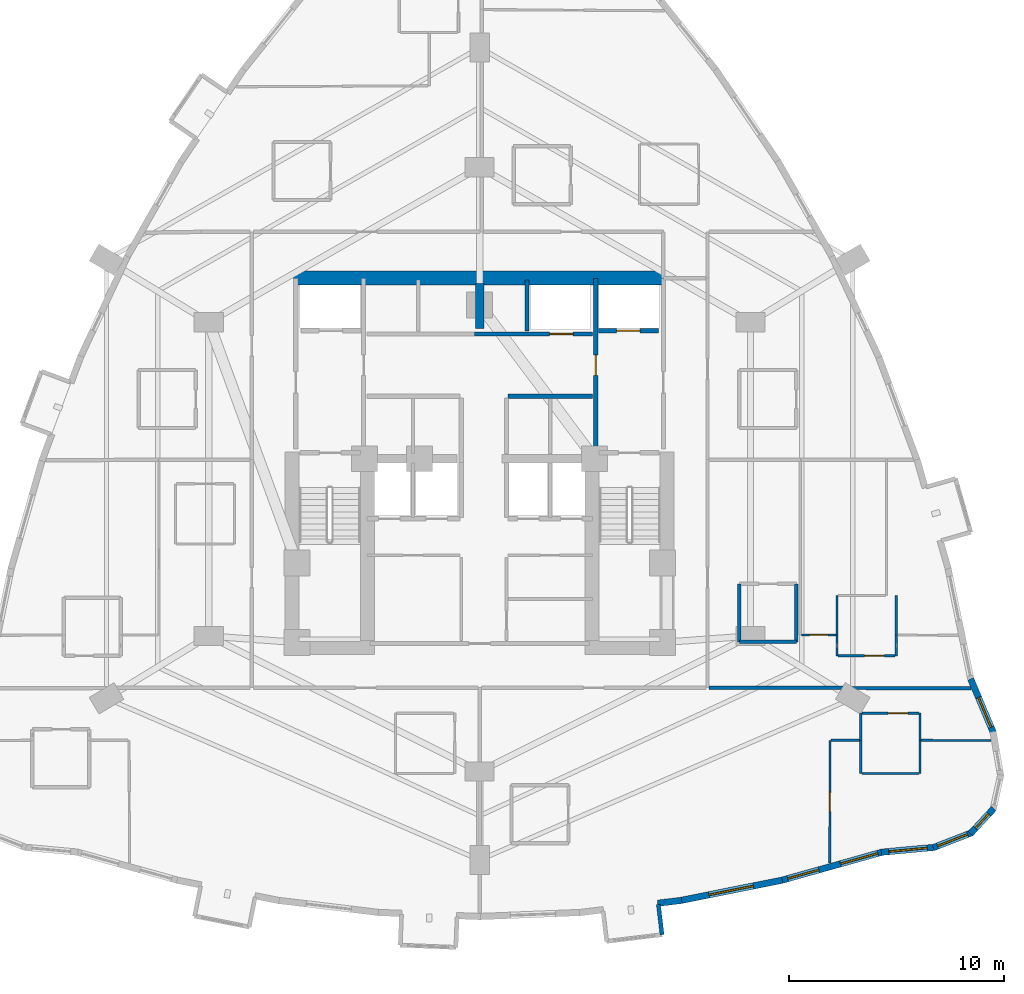
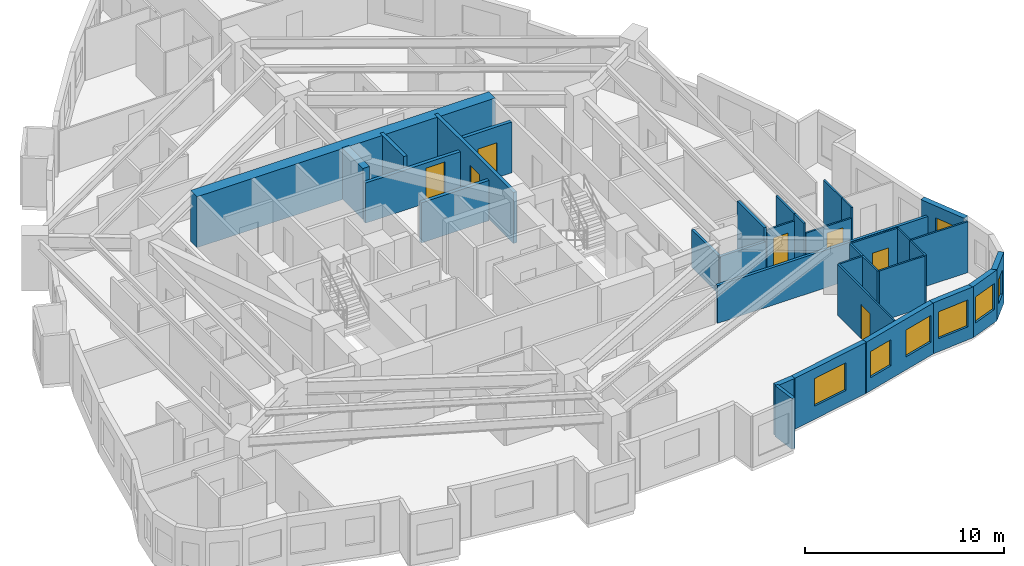
# One storey, part 9 of 13: 34 walls, 7 doors, 7 windows, 14 openings.
"""IFC4 building model written with IfcOpenShell, lengths in metres."""

import ifcopenshell
import ifcopenshell.guid

model = None  # the IFC model being written
_history = None  # IfcOwnerHistory: only IFC2X3 demands one
_inside = {}  # id of a spatial element -> (the spatial element, [elements in it])
_under = {}  # id of a project, library or spatial element -> (it, [spatial elements below it])
_declared = {}  # id of a project -> (the project, [libraries it declares])
_typed = {}  # id of a type object -> (the type object, [elements of that type])
_made_of = {}  # id of a material, layer set ... -> (it, [elements and type objects made of it])


def new_model(schema):
    """Start an empty IFC model of exactly this schema.

    Asked for "IFC4X3", IfcOpenShell would pick the latest addendum, in which some entities
    have other attributes; the version numbers below select the first issue.
    IFC2X3 requires an IfcOwnerHistory on every rooted entity: one is made here for all.
    """
    global model, _history
    if schema == "IFC4X3":
        model = ifcopenshell.file(schema_version=(4, 3, 0, 0))
    else:
        model = ifcopenshell.file(schema=schema)
    _inside.clear()
    _under.clear()
    _declared.clear()
    _typed.clear()
    _made_of.clear()
    _history = None
    if model.schema == "IFC2X3":
        org = make("IfcOrganization", Name="unknown")
        user = make(
            "IfcPersonAndOrganization",
            ThePerson=make("IfcPerson", FamilyName="unknown"),
            TheOrganization=org,
        )
        app = make(
            "IfcApplication",
            ApplicationDeveloper=org,
            Version="unknown",
            ApplicationFullName="unknown",
            ApplicationIdentifier="unknown",
        )
        _history = make(
            "IfcOwnerHistory",
            OwningUser=user,
            OwningApplication=app,
            ChangeAction="ADDED",
            CreationDate=0,
        )
    return model


def make(cls, **values):
    """One entity of the class cls with the attributes given. An attribute that is None is left unset."""
    return model.create_entity(
        cls, **{name: value for name, value in values.items() if value is not None}
    )


def rooted(cls, **values):
    """An entity with a GlobalId (a new one), such as an element, a storey or a relation."""
    return make(cls, GlobalId=ifcopenshell.guid.new(), OwnerHistory=_history, **values)


def si_unit(unit_type, name, prefix=None):
    """IfcSIUnit, for example si_unit("LENGTHUNIT", "METRE", prefix="MILLI")."""
    return make("IfcSIUnit", UnitType=unit_type, Prefix=prefix, Name=name)


def assignment(units):
    """IfcUnitAssignment: the units of a project."""
    return None if units is None else make("IfcUnitAssignment", Units=units)


def point(xyz):
    """IfcCartesianPoint."""
    return None if xyz is None else make("IfcCartesianPoint", Coordinates=xyz)


def direction(xyz):
    """IfcDirection."""
    return None if xyz is None else make("IfcDirection", DirectionRatios=xyz)


def frame(location, z_axis=None, x_axis=None):
    """IfcAxis2Placement3D, a coordinate frame: its origin and axes. An axis left out is left unset."""
    return make(
        "IfcAxis2Placement3D",
        Location=point(location),
        Axis=direction(z_axis),
        RefDirection=direction(x_axis),
    )


def frame_2d(location, x_axis=None):
    """IfcAxis2Placement2D, a coordinate frame in the plane: its origin and x axis."""
    return make(
        "IfcAxis2Placement2D", Location=point(location), RefDirection=direction(x_axis)
    )


def origin():
    """The frame at (0, 0, 0) with its axes left unset."""
    return frame((0.0, 0.0, 0.0))


def place(relative_to, where):
    """IfcLocalPlacement: puts the frame where relative to a parent placement (None: the world)."""
    return make(
        "IfcLocalPlacement", PlacementRelTo=relative_to, RelativePlacement=where
    )


def context(
    kind, dimensions, precision=None, world=None, true_north=None, identifier=None
):
    """IfcGeometricRepresentationContext, for example the 3D "Model" context."""
    return make(
        "IfcGeometricRepresentationContext",
        ContextIdentifier=identifier,
        ContextType=kind,
        CoordinateSpaceDimension=dimensions,
        Precision=precision,
        WorldCoordinateSystem=world,
        TrueNorth=true_north,
    )


def subcontext(parent, identifier, kind, view, scale=None):
    """IfcGeometricRepresentationSubContext, for example "Body" below "Model"."""
    return make(
        "IfcGeometricRepresentationSubContext",
        ContextIdentifier=identifier,
        ContextType=kind,
        ParentContext=parent,
        TargetScale=scale,
        TargetView=view,
    )


def project(units=None, contexts=None):
    """IfcProject with its units and contexts."""
    return rooted(
        "IfcProject",
        Name="project",
        RepresentationContexts=contexts,
        UnitsInContext=assignment(units),
    )


def spatial(cls, under=None, at=None, **own):
    """A site, building, storey or space (cls), placed at a placement, below another one or the project."""
    s = rooted(cls, ObjectPlacement=at, **own)
    if under is not None:
        _under.setdefault(under.id(), (under, []))[1].append(s)
    return s


def profile(cls, at=None, kind="AREA", **sizes):
    """A parametric profile (cls). Its sizes go by their IFC names, for example OverallWidth=200.0."""
    return make(cls, ProfileType=kind, Position=at, **sizes)


def rectangle(**sizes):
    """IfcRectangleProfileDef."""
    return profile("IfcRectangleProfileDef", **sizes)


def extrude(swept, where, along, depth):
    """IfcExtrudedAreaSolid: the profile swept, set in the frame where, extruded along a direction by depth."""
    return make(
        "IfcExtrudedAreaSolid",
        SweptArea=swept,
        Position=where,
        ExtrudedDirection=direction(along),
        Depth=depth,
    )


def shape(context_of_items, identifier, shape_type, items):
    """IfcShapeRepresentation: the items that make up one representation, for example the "Body"."""
    return make(
        "IfcShapeRepresentation",
        ContextOfItems=context_of_items,
        RepresentationIdentifier=identifier,
        RepresentationType=shape_type,
        Items=items,
    )


def material(Name=None, Category=None):
    """IfcMaterial."""
    return make("IfcMaterial", Name=Name, Category=Category)


def layer(
    of_material, thickness, ventilated=None, Name=None, Category=None, Priority=None
):
    """IfcMaterialLayer: one layer of a wall or slab, of a material (None: an air gap)."""
    return make(
        "IfcMaterialLayer",
        Material=of_material,
        LayerThickness=thickness,
        IsVentilated=ventilated,
        Name=Name,
        Category=Category,
        Priority=Priority,
    )


def layer_set(layers, Name=None):
    """IfcMaterialLayerSet."""
    return make("IfcMaterialLayerSet", MaterialLayers=layers, LayerSetName=Name)


def made_of(thing, what):
    """Note that an element or type object is made of a material, layer set ...; save() writes the relation."""
    if what is not None:
        _made_of.setdefault(what.id(), (what, []))[1].append(thing)
    return thing


def type_object(cls, material=None, **own):
    """A type object (cls), such as IfcWallType, which elements share."""
    return made_of(rooted(cls, **own), material)


def element(
    cls,
    number,
    at=None,
    inside=None,
    cuts=None,
    type_object=None,
    material=None,
    context=None,
    identifier="Body",
    shape_type=None,
    held_by="IfcProductDefinitionShape",
    body=None,
    shapes=None,
    **own,
):
    """One element of the class cls, such as IfcWall. Its Tag is "e" and its number.

    at: its placement. inside: the storey or other place that contains it. cuts: it is an
    opening in that element (IfcRelVoidsElement). A single representation is given by context,
    identifier, shape_type and body (its items); several are given by shapes. held_by: the class
    of the entity that holds the representations. save() writes the other relations.
    """
    e = rooted(cls, Tag="e%d" % number, ObjectPlacement=at, **own)
    if body is not None:
        shapes = [shape(context, identifier, shape_type, body)]
    if shapes is not None:
        e.Representation = make(held_by, Representations=shapes)
    if inside is not None:
        _inside.setdefault(inside.id(), (inside, []))[1].append(e)
    if cuts is not None:
        rooted(
            "IfcRelVoidsElement", RelatingBuildingElement=cuts, RelatedOpeningElement=e
        )
    if type_object is not None:
        _typed.setdefault(type_object.id(), (type_object, []))[1].append(e)
    return made_of(e, material)


def fill(opening, filler):
    """IfcRelFillsElement: the door or window that sits in an opening."""
    return rooted(
        "IfcRelFillsElement",
        RelatingOpeningElement=opening,
        RelatedBuildingElement=filler,
    )


def aggregate(whole, parts):
    """IfcRelAggregates: a whole, such as a stair, and the parts it consists of."""
    return rooted("IfcRelAggregates", RelatingObject=whole, RelatedObjects=parts)


def save(model, path):
    """Write the relations noted so far, then the file.

    IfcRelAggregates (storeys below a building ...), IfcRelContainedInSpatialStructure (elements
    in a storey), IfcRelDefinesByType, IfcRelAssociatesMaterial and IfcRelDeclares: one each for
    every whole, place, type object, material and project.
    """
    for whole, parts in _under.values():
        aggregate(whole, parts)
    for where, things in _inside.values():
        rooted(
            "IfcRelContainedInSpatialStructure",
            RelatedElements=things,
            RelatingStructure=where,
        )
    for kind, things in _typed.values():
        rooted("IfcRelDefinesByType", RelatedObjects=things, RelatingType=kind)
    for what, things in _made_of.values():
        rooted("IfcRelAssociatesMaterial", RelatedObjects=things, RelatingMaterial=what)
    for by, libraries in _declared.values():
        rooted("IfcRelDeclares", RelatingContext=by, RelatedDefinitions=libraries)
    model.write(path)


model = new_model("IFC4")

# Units and contexts
model_context = context("Model", 3, precision=1e-05, world=origin(), true_north=direction((0.0, 1.0)))
body_context = subcontext(model_context, "Body", "Model", "MODEL_VIEW")
ifc_project = project(units=[si_unit("LENGTHUNIT", "METRE"), si_unit("AREAUNIT", "SQUARE_METRE"), si_unit("VOLUMEUNIT", "CUBIC_METRE"), si_unit("PLANEANGLEUNIT", "RADIAN"), si_unit("MASSUNIT", "GRAM", prefix="KILO")], contexts=[model_context])

# Site, building, storey
site_placement = place(None, origin())
site = spatial("IfcSite", under=ifc_project, at=site_placement, CompositionType="ELEMENT")
building_placement = place(site_placement, origin())
building = spatial("IfcBuilding", under=site, at=building_placement, Name="Miruveldt Soraemaru", CompositionType="ELEMENT")
storey_placement = place(building_placement, frame((0.0, 0.0, 76.800048828125)))
storey = spatial("IfcBuildingStorey", under=building, at=storey_placement, Name="L21", CompositionType="ELEMENT", Elevation=76.800048828125)

# Walls
ifc_material_1 = material(Name="White powder-coated aluminium EN AW-6060 T6", Category="aluminium")
ifc_layer_1 = layer(ifc_material_1, 0.18994140625, Name="White powder-coated aluminium EN AW-6060 T6", Category="aluminium")
ifc_layer_set_1 = layer_set([ifc_layer_1], Name="White powder-coated aluminium EN AW-6060 T6")
wall_type_1 = type_object("IfcWallType", Name="WALL-BAY-ALU190", PredefinedType="SOLIDWALL", material=ifc_layer_set_1)
wall_1_placement = place(storey_placement, frame((52.48681640625, 21.901123046875, 0.0), z_axis=(0.0, 0.0, 1.0), x_axis=(-0.119057405757, 0.992887372331, 0.0)))
element("IfcWall", 1, at=wall_1_placement, inside=storey, type_object=wall_type_1, Name="L21 Bay Window Side Cheek 5R", PredefinedType="SOLIDWALL", context=body_context, shape_type="SweptSolid", body=[
    extrude(rectangle(XDim=1.42529296875, YDim=0.18994140625, at=frame_2d((0.712646484375, 0.0))), origin(), (0.0, 0.0, 1.0), 3.125),
])
ifc_material_2 = material(Name="Concrete C70/85 (70 MPa)", Category="concrete")
ifc_layer_2 = layer(ifc_material_2, 0.5, Name="Concrete C70/85 (70 MPa)", Category="concrete")
ifc_layer_set_2 = layer_set([ifc_layer_2], Name="Concrete C70/85 (70 MPa)")
wall_type_2 = type_object("IfcWallType", Name="WALL-BW-500", PredefinedType="SHEAR", material=ifc_layer_set_2)
wall_2_placement = place(storey_placement, frame((44.0, 50.10009765625, 0.0), z_axis=(0.0, 0.0, 1.0), x_axis=(0.0, 1.0, 0.0)))
element("IfcWall", 2, at=wall_2_placement, inside=storey, type_object=wall_type_2, Name="L21 Core Buttress Shear Wall BN", PredefinedType="SHEAR", context=body_context, shape_type="SweptSolid", body=[
    extrude(rectangle(XDim=2.099853515625, YDim=0.39990234375, at=frame_2d((1.0498046875, 0.0))), origin(), (0.0, 0.0, 1.0), 3.125),
])
ifc_material_3 = material(Name="Concrete C80/95 (80 MPa)", Category="concrete")
ifc_layer_3 = layer(ifc_material_3, 0.64990234375, Name="Concrete C80/95 (80 MPa)", Category="concrete")
ifc_layer_set_3 = layer_set([ifc_layer_3], Name="Concrete C80/95 (80 MPa)")
wall_type_3 = type_object("IfcWallType", Name="WALL-CW-650", PredefinedType="SHEAR", material=ifc_layer_set_3)
wall_3_placement = place(storey_placement, frame((35.35009765625, 52.449951171875, 0.0), z_axis=(0.0, 0.0, 1.0), x_axis=(1.0, 0.0, 0.0)))
element("IfcWall", 3, at=wall_3_placement, inside=storey, type_object=wall_type_3, Name="L21 Central Core Shear Wall N", PredefinedType="SHEAR", context=body_context, shape_type="SweptSolid", body=[
    extrude(rectangle(XDim=17.2998046875, YDim=0.64990234375, at=frame_2d((8.64990234375, 0.0))), origin(), (0.0, 0.0, 1.0), 3.125),
])
ifc_material_4 = material(Name="Precast concrete C45/55 (45 MPa)", Category="concrete")
ifc_layer_4 = layer(ifc_material_4, 0.300048828125, Name="Precast concrete C45/55 (45 MPa)", Category="concrete")
ifc_layer_set_4 = layer_set([ifc_layer_4], Name="Precast concrete C45/55 (45 MPa)")
wall_type_4 = type_object("IfcWallType", Name="WALL-EXT-PC300", PredefinedType="SOLIDWALL", material=ifc_layer_set_4)
wall_4_placement = place(storey_placement, frame((52.28076171875, 23.3671875, 0.0), z_axis=(0.0, 0.0, 1.0), x_axis=(0.992888162429, 0.119050816495, 0.0)))
element("IfcWall", 4, at=wall_4_placement, inside=storey, type_object=wall_type_4, Name="L21 Precast Pier Wall 26B", PredefinedType="SOLIDWALL", context=body_context, shape_type="SweptSolid", body=[
    extrude(rectangle(XDim=1.121826171875, YDim=0.300048828125, at=frame_2d((0.56103515625, 0.0))), origin(), (0.0, 0.0, 1.0), 3.125),
])

# Wall, opening, window
wall_5_placement = place(storey_placement, frame((53.325439453125, 23.48974609375, 0.0), z_axis=(0.0, 0.0, 1.0), x_axis=(0.980580675691, 0.196116135138, 0.0)))
wall_5 = element("IfcWall", 5, at=wall_5_placement, inside=storey, type_object=wall_type_4, Name="L21 Precast Concrete Facade Wall 27", PredefinedType="SOLIDWALL", context=body_context, shape_type="SweptSolid", body=[
    extrude(rectangle(XDim=4.842529296875, YDim=0.300048828125, at=frame_2d((2.42138671875, 0.0))), origin(), (0.0, 0.0, 1.0), 3.125),
])
opening_1_placement = place(wall_5_placement, frame((1.37109375, 0.0, 0.800048828125)))
opening_1 = element("IfcOpeningElement", 6, at=opening_1_placement, cuts=wall_5, Name="Opening WN-1", PredefinedType="OPENING", context=body_context, shape_type="SweptSolid", body=[
    extrude(rectangle(XDim=2.10009765625, YDim=1.699951171875, at=frame_2d((1.050048828125, 0.85009765625))), frame((0.0, 0.16015625, 0.0), z_axis=(0.0, -1.0, 0.0), x_axis=(1.0, 0.0, 0.0)), (0.0, 0.0, 1.0), 0.320068359375),
])
ifc_material_5 = material(Name="Triple low-e insulated glazing", Category="glass")
window_type_1 = type_object("IfcWindowType", Name="WIN-PUNCH-2100x1700", PartitioningType="SINGLE_PANEL", PredefinedType="WINDOW", material=ifc_material_5)
window_1_placement = place(opening_1_placement, origin())
window_1 = element("IfcWindow", 7, at=window_1_placement, inside=storey, type_object=window_type_1, Name="L21 Punched Triple-Glazed Window 27.1", OverallHeight=1.699951171875, OverallWidth=2.10009765625, PartitioningType="SINGLE_PANEL", PredefinedType="WINDOW", context=body_context, shape_type="SweptSolid", body=[
    extrude(rectangle(XDim=2.10009765625, YDim=1.699951171875, at=frame_2d((1.050048828125, 0.85009765625))), frame((0.0, 0.030029296875, 0.0), z_axis=(0.0, -1.0, 0.0), x_axis=(1.0, 0.0, 0.0)), (0.0, 0.0, 1.0), 0.06005859375),
])
fill(opening_1, window_1)

# Wall, openings, windows
wall_6_placement = place(storey_placement, frame((58.006103515625, 24.423095703125, 0.0), z_axis=(0.0, 0.0, 1.0), x_axis=(0.962958876285, 0.269648294234, 0.0)))
wall_6 = element("IfcWall", 8, at=wall_6_placement, inside=storey, type_object=wall_type_4, Name="L21 Precast Concrete Facade Wall 28", PredefinedType="SOLIDWALL", context=body_context, shape_type="SweptSolid", body=[
    extrude(rectangle(XDim=4.929931640625, YDim=0.300048828125, at=frame_2d((2.46484375, 0.0))), origin(), (0.0, 0.0, 1.0), 3.125),
])
opening_2_placement = place(wall_6_placement, frame((0.3359375, 0.0, 0.800048828125)))
opening_2 = element("IfcOpeningElement", 9, at=opening_2_placement, cuts=wall_6, Name="Opening WN-3", PredefinedType="OPENING", context=body_context, shape_type="SweptSolid", body=[
    extrude(rectangle(XDim=1.5, YDim=1.60009765625, at=frame_2d((0.75, 0.800048828125))), frame((0.0, 0.16015625, 0.0), z_axis=(0.0, -1.0, 0.0), x_axis=(1.0, 0.0, 0.0)), (0.0, 0.0, 1.0), 0.320068359375),
])
opening_3_placement = place(wall_6_placement, frame((2.889892578125, 0.0, 0.800048828125)))
opening_3 = element("IfcOpeningElement", 10, at=opening_3_placement, cuts=wall_6, Name="Opening WN-2", PredefinedType="OPENING", context=body_context, shape_type="SweptSolid", body=[
    extrude(rectangle(XDim=1.800048828125, YDim=1.64990234375, at=frame_2d((0.89990234375, 0.824951171875))), frame((0.0, 0.16015625, 0.0), z_axis=(0.0, -1.0, 0.0), x_axis=(1.0, 0.0, 0.0)), (0.0, 0.0, 1.0), 0.320068359375),
])
window_type_2 = type_object("IfcWindowType", Name="WIN-PUNCH-1500x1600", PartitioningType="SINGLE_PANEL", PredefinedType="WINDOW", material=ifc_material_5)
window_2_placement = place(opening_2_placement, origin())
window_2 = element("IfcWindow", 11, at=window_2_placement, inside=storey, type_object=window_type_2, Name="L21 Punched Triple-Glazed Window 28.1", OverallHeight=1.60009765625, OverallWidth=1.5, PartitioningType="SINGLE_PANEL", PredefinedType="WINDOW", context=body_context, shape_type="SweptSolid", body=[
    extrude(rectangle(XDim=1.5, YDim=1.60009765625, at=frame_2d((0.75, 0.800048828125))), frame((0.0, 0.030029296875, 0.0), z_axis=(0.0, -1.0, 0.0), x_axis=(1.0, 0.0, 0.0)), (0.0, 0.0, 1.0), 0.06005859375),
])
fill(opening_2, window_2)
window_type_3 = type_object("IfcWindowType", Name="WIN-PUNCH-1800x1650", PartitioningType="SINGLE_PANEL", PredefinedType="WINDOW", material=ifc_material_5)
window_3_placement = place(opening_3_placement, origin())
window_3 = element("IfcWindow", 12, at=window_3_placement, inside=storey, type_object=window_type_3, Name="L21 Punched Triple-Glazed Window 28.2", OverallHeight=1.64990234375, OverallWidth=1.800048828125, PartitioningType="SINGLE_PANEL", PredefinedType="WINDOW", context=body_context, shape_type="SweptSolid", body=[
    extrude(rectangle(XDim=1.800048828125, YDim=1.64990234375, at=frame_2d((0.89990234375, 0.824951171875))), frame((0.0, 0.030029296875, 0.0), z_axis=(0.0, -1.0, 0.0), x_axis=(1.0, 0.0, 0.0)), (0.0, 0.0, 1.0), 0.06005859375),
])
fill(opening_3, window_3)

# Wall, opening, window
wall_7_placement = place(storey_placement, frame((62.684814453125, 25.73974609375, 0.0), z_axis=(0.0, 0.0, 1.0), x_axis=(0.995758957766, 0.09200053276, 0.0)))
wall_7 = element("IfcWall", 13, at=wall_7_placement, inside=storey, type_object=wall_type_4, Name="L21 Precast Concrete Facade Wall 29", PredefinedType="SOLIDWALL", context=body_context, shape_type="SweptSolid", body=[
    extrude(rectangle(XDim=2.494384765625, YDim=0.300048828125, at=frame_2d((1.2470703125, 0.0))), origin(), (0.0, 0.0, 1.0), 3.125),
])
opening_4_placement = place(wall_7_placement, frame((0.347900390625, 0.0, 0.800048828125)))
opening_4 = element("IfcOpeningElement", 14, at=opening_4_placement, cuts=wall_7, Name="Opening WN-2", PredefinedType="OPENING", context=body_context, shape_type="SweptSolid", body=[
    extrude(rectangle(XDim=1.800048828125, YDim=1.64990234375, at=frame_2d((0.89990234375, 0.824951171875))), frame((0.0, 0.16015625, 0.0), z_axis=(0.0, -1.0, 0.0), x_axis=(1.0, 0.0, 0.0)), (0.0, 0.0, 1.0), 0.320068359375),
])
window_4_placement = place(opening_4_placement, origin())
window_4 = element("IfcWindow", 15, at=window_4_placement, inside=storey, type_object=window_type_3, Name="L21 Punched Triple-Glazed Window 29.1", OverallHeight=1.64990234375, OverallWidth=1.800048828125, PartitioningType="SINGLE_PANEL", PredefinedType="WINDOW", context=body_context, shape_type="SweptSolid", body=[
    extrude(rectangle(XDim=1.800048828125, YDim=1.64990234375, at=frame_2d((0.89990234375, 0.824951171875))), frame((0.0, 0.030029296875, 0.0), z_axis=(0.0, -1.0, 0.0), x_axis=(1.0, 0.0, 0.0)), (0.0, 0.0, 1.0), 0.06005859375),
])
fill(opening_4, window_4)

wall_8_placement = place(storey_placement, frame((65.101318359375, 25.953369140625, 0.0), z_axis=(0.0, 0.0, 1.0), x_axis=(0.93228604446, 0.361721897741, 0.0)))
wall_8 = element("IfcWall", 16, at=wall_8_placement, inside=storey, type_object=wall_type_4, Name="L21 Precast Concrete Facade Wall 30", PredefinedType="SOLIDWALL", context=body_context, shape_type="SweptSolid", body=[
    extrude(rectangle(XDim=1.91943359375, YDim=0.300048828125, at=frame_2d((0.959716796875, 0.0))), origin(), (0.0, 0.0, 1.0), 3.125),
])
opening_5_placement = place(wall_8_placement, frame((0.2099609375, 0.0, 0.800048828125)))
opening_5 = element("IfcOpeningElement", 17, at=opening_5_placement, cuts=wall_8, Name="Opening WN-3", PredefinedType="OPENING", context=body_context, shape_type="SweptSolid", body=[
    extrude(rectangle(XDim=1.5, YDim=1.60009765625, at=frame_2d((0.75, 0.800048828125))), frame((0.0, 0.16015625, 0.0), z_axis=(0.0, -1.0, 0.0), x_axis=(1.0, 0.0, 0.0)), (0.0, 0.0, 1.0), 0.320068359375),
])
window_5_placement = place(opening_5_placement, origin())
window_5 = element("IfcWindow", 18, at=window_5_placement, inside=storey, type_object=window_type_2, Name="L21 Punched Triple-Glazed Window 30.1", OverallHeight=1.60009765625, OverallWidth=1.5, PartitioningType="SINGLE_PANEL", PredefinedType="WINDOW", context=body_context, shape_type="SweptSolid", body=[
    extrude(rectangle(XDim=1.5, YDim=1.60009765625, at=frame_2d((0.75, 0.800048828125))), frame((0.0, 0.030029296875, 0.0), z_axis=(0.0, -1.0, 0.0), x_axis=(1.0, 0.0, 0.0)), (0.0, 0.0, 1.0), 0.06005859375),
])
fill(opening_5, window_5)

wall_9_placement = place(storey_placement, frame((66.83447265625, 26.609375, 0.0), z_axis=(0.0, 0.0, 1.0), x_axis=(0.680145025321, 0.733077584251, 0.0)))
wall_9 = element("IfcWall", 19, at=wall_9_placement, inside=storey, type_object=wall_type_4, Name="L21 Precast Concrete Facade Wall 31", PredefinedType="SOLIDWALL", context=body_context, shape_type="SweptSolid", body=[
    extrude(rectangle(XDim=1.59130859375, YDim=0.300048828125, at=frame_2d((0.795654296875, 0.0))), origin(), (0.0, 0.0, 1.0), 3.125),
])
opening_6_placement = place(wall_9_placement, frame((0.344970703125, 0.0, 0.780029296875)))
opening_6 = element("IfcOpeningElement", 20, at=opening_6_placement, cuts=wall_9, Name="Opening WN-7", PredefinedType="OPENING", context=body_context, shape_type="SweptSolid", body=[
    extrude(rectangle(XDim=0.89990234375, YDim=1.5, at=frame_2d((0.449951171875, 0.75))), frame((0.0, 0.16015625, 0.0), z_axis=(0.0, -1.0, 0.0), x_axis=(1.0, 0.0, 0.0)), (0.0, 0.0, 1.0), 0.320068359375),
])
window_type_4 = type_object("IfcWindowType", Name="WIN-PUNCH-900x1500", PartitioningType="SINGLE_PANEL", PredefinedType="WINDOW", material=ifc_material_5)
window_6_placement = place(opening_6_placement, origin())
window_6 = element("IfcWindow", 21, at=window_6_placement, inside=storey, type_object=window_type_4, Name="L21 Punched Triple-Glazed Window 31.1", OverallHeight=1.5, OverallWidth=0.89990234375, PartitioningType="SINGLE_PANEL", PredefinedType="WINDOW", context=body_context, shape_type="SweptSolid", body=[
    extrude(rectangle(XDim=0.89990234375, YDim=1.5, at=frame_2d((0.449951171875, 0.75))), frame((0.0, 0.030029296875, 0.0), z_axis=(0.0, -1.0, 0.0), x_axis=(1.0, 0.0, 0.0)), (0.0, 0.0, 1.0), 0.06005859375),
])
fill(opening_6, window_6)

wall_10_placement = place(storey_placement, frame((67.906494140625, 31.2861328125, 0.0), z_axis=(0.0, 0.0, 1.0), x_axis=(-0.388672061396, 0.921376160257, 0.0)))
wall_10 = element("IfcWall", 22, at=wall_10_placement, inside=storey, type_object=wall_type_4, Name="L21 Precast Concrete Facade Wall 34", PredefinedType="SOLIDWALL", context=body_context, shape_type="SweptSolid", body=[
    extrude(rectangle(XDim=2.732421875, YDim=0.300048828125, at=frame_2d((1.3662109375, 0.0))), origin(), (0.0, 0.0, 1.0), 3.125),
])
opening_7_placement = place(wall_10_placement, frame((0.2939453125, 0.0, 0.800048828125)))
opening_7 = element("IfcOpeningElement", 23, at=opening_7_placement, cuts=wall_10, Name="Opening WN-3", PredefinedType="OPENING", context=body_context, shape_type="SweptSolid", body=[
    extrude(rectangle(XDim=1.5, YDim=1.60009765625, at=frame_2d((0.75, 0.800048828125))), frame((0.0, 0.16015625, 0.0), z_axis=(0.0, -1.0, 0.0), x_axis=(1.0, 0.0, 0.0)), (0.0, 0.0, 1.0), 0.320068359375),
])
window_7_placement = place(opening_7_placement, origin())
window_7 = element("IfcWindow", 24, at=window_7_placement, inside=storey, type_object=window_type_2, Name="L21 Punched Triple-Glazed Window 34.1", OverallHeight=1.60009765625, OverallWidth=1.5, PartitioningType="SINGLE_PANEL", PredefinedType="WINDOW", context=body_context, shape_type="SweptSolid", body=[
    extrude(rectangle(XDim=1.5, YDim=1.60009765625, at=frame_2d((0.75, 0.800048828125))), frame((0.0, 0.030029296875, 0.0), z_axis=(0.0, -1.0, 0.0), x_axis=(1.0, 0.0, 0.0)), (0.0, 0.0, 1.0), 0.06005859375),
])
fill(opening_7, window_7)

# Wall, opening, door
ifc_material_6 = material(Name="Gypsum plasterboard lining", Category="gypsum")
ifc_layer_5 = layer(ifc_material_6, 0.10009765625, Name="Gypsum plasterboard lining", Category="gypsum")
ifc_layer_set_5 = layer_set([ifc_layer_5], Name="Gypsum plasterboard lining")
wall_type_5 = type_object("IfcWallType", Name="WALL-INT-P100", PredefinedType="PARTITIONING", material=ifc_layer_set_5)
wall_11_placement = place(storey_placement, frame((60.282958984375, 25.23193359375, 0.0), z_axis=(0.0, 0.0, 1.0), x_axis=(0.004013459841, 0.999991946038, 0.0)))
wall_11 = element("IfcWall", 25, at=wall_11_placement, inside=storey, type_object=wall_type_5, Name="L21 Partition Wall 103", PredefinedType="PARTITIONING", context=body_context, shape_type="SweptSolid", body=[
    extrude(rectangle(XDim=5.718017578125, YDim=0.10009765625, at=frame_2d((2.85888671875, 0.0))), origin(), (0.0, 0.0, 1.0), 3.125),
])
opening_8_placement = place(wall_11_placement, frame((2.39892578125, 0.0, 0.0)))
opening_8 = element("IfcOpeningElement", 26, at=opening_8_placement, cuts=wall_11, Name="Opening D3A", PredefinedType="OPENING", context=body_context, shape_type="SweptSolid", body=[
    extrude(rectangle(XDim=0.919921875, YDim=2.10009765625, at=frame_2d((0.4599609375, 1.050048828125))), frame((0.0, 0.06005859375, 0.0), z_axis=(0.0, -1.0, 0.0), x_axis=(1.0, 0.0, 0.0)), (0.0, 0.0, 1.0), 0.1201171875),
])
ifc_material_7 = material(Name="Anodised aluminium EN AW-6063 T6", Category="aluminium")
door_type_1 = type_object("IfcDoorType", Name="DOOR-INT-920", OperationType="NOTDEFINED", PredefinedType="DOOR", material=ifc_material_7)
door_1_placement = place(opening_8_placement, origin())
door_1 = element("IfcDoor", 27, at=door_1_placement, inside=storey, type_object=door_type_1, Name="L21 Unit 2108 BD1 Door", OperationType="SINGLE_SWING_LEFT", OverallHeight=2.10009765625, OverallWidth=0.919921875, PredefinedType="DOOR", context=body_context, shape_type="SweptSolid", body=[
    extrude(rectangle(XDim=0.919921875, YDim=2.10009765625, at=frame_2d((0.4599609375, 1.050048828125))), frame((0.0, 0.02490234375, 0.0), z_axis=(0.0, -1.0, 0.0), x_axis=(1.0, 0.0, 0.0)), (0.0, 0.0, 1.0), 0.050048828125),
])
fill(opening_8, door_1)

wall_12_placement = place(storey_placement, frame((64.429931640625, 32.2099609375, 0.0), z_axis=(0.0, 0.0, 1.0), x_axis=(-1.0, 0.0, 0.0)))
wall_12 = element("IfcWall", 28, at=wall_12_placement, inside=storey, type_object=wall_type_5, Name="L21 Partition Wall 101", PredefinedType="PARTITIONING", context=body_context, shape_type="SweptSolid", body=[
    extrude(rectangle(XDim=2.64990234375, YDim=0.10009765625, at=frame_2d((1.324951171875, 0.0))), origin(), (0.0, 0.0, 1.0), 3.125),
])
opening_9_placement = place(wall_12_placement, frame((0.5048828125, 0.0, 0.0)))
opening_9 = element("IfcOpeningElement", 29, at=opening_9_placement, cuts=wall_12, Name="Opening D3A", PredefinedType="OPENING", context=body_context, shape_type="SweptSolid", body=[
    extrude(rectangle(XDim=0.919921875, YDim=2.10009765625, at=frame_2d((0.4599609375, 1.050048828125))), frame((0.0, 0.06005859375, 0.0), z_axis=(0.0, -1.0, 0.0), x_axis=(1.0, 0.0, 0.0)), (0.0, 0.0, 1.0), 0.1201171875),
])
door_2_placement = place(opening_9_placement, origin())
door_2 = element("IfcDoor", 30, at=door_2_placement, inside=storey, type_object=door_type_1, Name="L21 Unit 2108 KIT Door", OperationType="SINGLE_SWING_RIGHT", OverallHeight=2.10009765625, OverallWidth=0.919921875, PredefinedType="DOOR", context=body_context, shape_type="SweptSolid", body=[
    extrude(rectangle(XDim=0.919921875, YDim=2.10009765625, at=frame_2d((0.4599609375, 1.050048828125))), frame((0.0, 0.02490234375, 0.0), z_axis=(0.0, -1.0, 0.0), x_axis=(1.0, 0.0, 0.0)), (0.0, 0.0, 1.0), 0.050048828125),
])
fill(opening_9, door_2)

wall_13_placement = place(storey_placement, frame((60.679931640625, 34.8798828125, 0.0), z_axis=(0.0, 0.0, 1.0), x_axis=(1.0, 0.0, 0.0)))
wall_13 = element("IfcWall", 31, at=wall_13_placement, inside=storey, type_object=wall_type_5, Name="L21 Partition Wall 67", PredefinedType="PARTITIONING", context=body_context, shape_type="SweptSolid", body=[
    extrude(rectangle(XDim=2.650146484375, YDim=0.10009765625, at=frame_2d((1.3251953125, 0.0))), origin(), (0.0, 0.0, 1.0), 2.512939453125),
])
opening_10_placement = place(wall_13_placement, frame((1.22509765625, 0.0, 0.0)))
opening_10 = element("IfcOpeningElement", 32, at=opening_10_placement, cuts=wall_13, Name="Opening D3A", PredefinedType="OPENING", context=body_context, shape_type="SweptSolid", body=[
    extrude(rectangle(XDim=0.919921875, YDim=2.10009765625, at=frame_2d((0.4599609375, 1.050048828125))), frame((0.0, 0.06005859375, 0.0), z_axis=(0.0, -1.0, 0.0), x_axis=(1.0, 0.0, 0.0)), (0.0, 0.0, 1.0), 0.1201171875),
])
door_3_placement = place(opening_10_placement, origin())
door_3 = element("IfcDoor", 33, at=door_3_placement, inside=storey, type_object=door_type_1, Name="L21 Unit 2105 KIT Door", OperationType="SINGLE_SWING_LEFT", OverallHeight=2.10009765625, OverallWidth=0.919921875, PredefinedType="DOOR", context=body_context, shape_type="SweptSolid", body=[
    extrude(rectangle(XDim=0.919921875, YDim=2.10009765625, at=frame_2d((0.4599609375, 1.050048828125))), frame((0.0, 0.02490234375, 0.0), z_axis=(0.0, -1.0, 0.0), x_axis=(1.0, 0.0, 0.0)), (0.0, 0.0, 1.0), 0.050048828125),
])
fill(opening_10, door_3)

wall_14_placement = place(storey_placement, frame((60.580078125, 35.85009765625, 0.0), z_axis=(0.0, 0.0, 1.0), x_axis=(-1.0, 0.0, 0.0)))
wall_14 = element("IfcWall", 34, at=wall_14_placement, inside=storey, type_object=wall_type_5, Name="L21 Partition Wall 68", PredefinedType="PARTITIONING", context=body_context, shape_type="SweptSolid", body=[
    extrude(rectangle(XDim=1.614990234375, YDim=0.10009765625, at=frame_2d((0.8076171875, 0.0))), origin(), (0.0, 0.0, 1.0), 2.712890625),
])
opening_11_placement = place(wall_14_placement, frame((0.376953125, 0.0, 0.0)))
opening_11 = element("IfcOpeningElement", 35, at=opening_11_placement, cuts=wall_14, Name="Opening FD3", PredefinedType="OPENING", context=body_context, shape_type="SweptSolid", body=[
    extrude(rectangle(XDim=0.85009765625, YDim=2.10009765625, at=frame_2d((0.425048828125, 1.050048828125))), frame((0.0, 0.06005859375, 0.0), z_axis=(0.0, -1.0, 0.0), x_axis=(1.0, 0.0, 0.0)), (0.0, 0.0, 1.0), 0.1201171875),
])
door_type_2 = type_object("IfcDoorType", Name="DOOR-FD3-850", OperationType="NOTDEFINED", PredefinedType="DOOR", material=ifc_material_7)
door_4_placement = place(opening_11_placement, origin())
door_4 = element("IfcDoor", 36, at=door_4_placement, inside=storey, type_object=door_type_2, Name="L21 Unit 2105 BD1 Door", OperationType="SINGLE_SWING_RIGHT", OverallHeight=2.10009765625, OverallWidth=0.85009765625, PredefinedType="DOOR", context=body_context, shape_type="SweptSolid", body=[
    extrude(rectangle(XDim=0.85009765625, YDim=2.10009765625, at=frame_2d((0.425048828125, 1.050048828125))), frame((0.0, 0.02490234375, 0.0), z_axis=(0.0, -1.0, 0.0), x_axis=(1.0, 0.0, 0.0)), (0.0, 0.0, 1.0), 0.050048828125),
])
fill(opening_11, door_4)

# Walls
wall_15_placement = place(storey_placement, frame((64.530029296875, 30.949951171875, 0.0), z_axis=(0.0, 0.0, 1.0), x_axis=(0.999990894665, -0.004267386464, 0.0)))
element("IfcWall", 37, at=wall_15_placement, inside=storey, type_object=wall_type_5, Name="L21 Partition Wall 105", PredefinedType="PARTITIONING", context=body_context, shape_type="SweptSolid", body=[
    extrude(rectangle(XDim=3.260986328125, YDim=0.10009765625, at=frame_2d((1.63037109375, 0.0))), origin(), (0.0, 0.0, 1.0), 3.125),
])
wall_16_placement = place(storey_placement, frame((61.780029296875, 29.409912109375, 0.0), z_axis=(0.0, 0.0, 1.0), x_axis=(1.0, 0.0, 0.0)))
element("IfcWall", 38, at=wall_16_placement, inside=storey, type_object=wall_type_5, Name="L21 Partition Wall 107", PredefinedType="PARTITIONING", context=body_context, shape_type="SweptSolid", body=[
    extrude(rectangle(XDim=2.64990234375, YDim=0.10009765625, at=frame_2d((1.324951171875, 0.0))), origin(), (0.0, 0.0, 1.0), 3.125),
])
for number, where, z_axis, x_axis, name in (
    (39, (60.6298828125, 37.679931640625, 0.0), (0.0, 0.0, 1.0), (0.0, -1.0, 0.0), "L21 Partition Wall 73"),
    (40, (63.3798828125, 35.85009765625, 0.0), (0.0, 0.0, 1.0), (0.0, 1.0, 0.0), "L21 Partition Wall 74"),
):
    element("IfcWall", number, at=place(storey_placement, frame(where, z_axis=z_axis, x_axis=x_axis)), inside=storey, type_object=wall_type_5, Name=name, PredefinedType="PARTITIONING", context=body_context, shape_type="SweptSolid", body=[
        extrude(rectangle(XDim=1.829833984375, YDim=0.10009765625, at=frame_2d((0.9150390625, 0.0))), origin(), (0.0, 0.0, 1.0), 3.125),
    ])
for number, where, z_axis, x_axis, name in (
    (41, (61.72998046875, 30.949951171875, 0.0), (0.0, 0.0, 1.0), (0.0, -1.0, 0.0), "L21 Partition Wall 106"),
    (42, (64.47998046875, 29.409912109375, 0.0), (0.0, 0.0, 1.0), (0.0, 1.0, 0.0), "L21 Partition Wall 108"),
):
    element("IfcWall", number, at=place(storey_placement, frame(where, z_axis=z_axis, x_axis=x_axis)), inside=storey, type_object=wall_type_5, Name=name, PredefinedType="PARTITIONING", context=body_context, shape_type="SweptSolid", body=[
        extrude(rectangle(XDim=1.5400390625, YDim=0.10009765625, at=frame_2d((0.77001953125, 0.0))), origin(), (0.0, 0.0, 1.0), 3.125),
    ])
for number, where, z_axis, x_axis, name in (
    (43, (64.47998046875, 30.949951171875, 0.0), (0.0, 0.0, 1.0), (0.0, 1.0, 0.0), "L21 Partition Wall 100"),
    (44, (61.72998046875, 32.2099609375, 0.0), (0.0, 0.0, 1.0), (0.0, -1.0, 0.0), "L21 Partition Wall 102"),
):
    element("IfcWall", number, at=place(storey_placement, frame(where, z_axis=z_axis, x_axis=x_axis)), inside=storey, type_object=wall_type_5, Name=name, PredefinedType="PARTITIONING", context=body_context, shape_type="SweptSolid", body=[
        extrude(rectangle(XDim=1.260009765625, YDim=0.10009765625, at=frame_2d((0.6298828125, 0.0))), origin(), (0.0, 0.0, 1.0), 3.125),
    ])
wall_17_placement = place(storey_placement, frame((60.35595703125, 30.949951171875, 0.0), z_axis=(0.0, 0.0, 1.0), x_axis=(1.0, 0.0, 0.0)))
element("IfcWall", 45, at=wall_17_placement, inside=storey, type_object=wall_type_5, Name="L21 Partition Wall 104", PredefinedType="PARTITIONING", context=body_context, shape_type="SweptSolid", body=[
    extrude(rectangle(XDim=1.323974609375, YDim=0.10009765625, at=frame_2d((0.662109375, 0.0))), origin(), (0.0, 0.0, 1.0), 3.125),
])
for number, where, z_axis, x_axis, name in (
    (46, (63.3798828125, 34.8798828125, 0.0), (0.0, 0.0, 1.0), (0.0, 1.0, 0.0), "L21 Partition Wall 65"),
    (47, (60.6298828125, 35.85009765625, 0.0), (0.0, 0.0, 1.0), (0.0, -1.0, 0.0), "L21 Partition Wall 66"),
):
    element("IfcWall", number, at=place(storey_placement, frame(where, z_axis=z_axis, x_axis=x_axis)), inside=storey, type_object=wall_type_5, Name=name, PredefinedType="PARTITIONING", context=body_context, shape_type="SweptSolid", body=[
        extrude(rectangle(XDim=0.97021484375, YDim=0.10009765625, at=frame_2d((0.485107421875, 0.0))), origin(), (0.0, 0.0, 1.0), 3.125),
    ])
ifc_layer_6 = layer(ifc_material_6, 0.14990234375, Name="Gypsum plasterboard lining", Category="gypsum")
ifc_layer_set_6 = layer_set([ifc_layer_6], Name="Gypsum plasterboard lining")
wall_type_6 = type_object("IfcWallType", Name="WALL-INT-PLUMB", PredefinedType="PLUMBINGWALL", material=ifc_layer_set_6)
wall_18_placement = place(storey_placement, frame((58.72998046875, 35.530029296875, 0.0), z_axis=(0.0, 0.0, 1.0), x_axis=(0.0, 1.0, 0.0)))
element("IfcWall", 48, at=wall_18_placement, inside=storey, type_object=wall_type_6, Name="L21 Partition Wall 61", PredefinedType="PLUMBINGWALL", context=body_context, shape_type="SweptSolid", body=[
    extrude(rectangle(XDim=2.699951171875, YDim=0.14990234375, at=frame_2d((1.35009765625, 0.0))), origin(), (0.0, 0.0, 1.0), 3.125),
])
wall_19_placement = place(storey_placement, frame((56.080078125, 38.22998046875, 0.0), z_axis=(0.0, 0.0, 1.0), x_axis=(0.0, -1.0, 0.0)))
element("IfcWall", 49, at=wall_19_placement, inside=storey, type_object=wall_type_6, Name="L21 Partition Wall 63", PredefinedType="PLUMBINGWALL", context=body_context, shape_type="SweptSolid", body=[
    extrude(rectangle(XDim=2.699951171875, YDim=0.14990234375, at=frame_2d((1.35009765625, 0.0))), origin(), (0.0, 0.0, 1.0), 2.31298828125),
])
wall_20_placement = place(storey_placement, frame((56.080078125, 35.530029296875, 0.0), z_axis=(0.0, 0.0, 1.0), x_axis=(1.0, 0.0, 0.0)))
element("IfcWall", 50, at=wall_20_placement, inside=storey, type_object=wall_type_6, Name="L21 Partition Wall 64", PredefinedType="PLUMBINGWALL", context=body_context, shape_type="SweptSolid", body=[
    extrude(rectangle(XDim=2.64990234375, YDim=0.14990234375, at=frame_2d((1.324951171875, 0.0))), origin(), (0.0, 0.0, 1.0), 2.31298828125),
])
ifc_material_8 = material(Name="Concrete C40/50 (40 MPa)", Category="concrete")
ifc_layer_7 = layer(ifc_material_8, 0.159912109375, Name="Concrete C40/50 (40 MPa)", Category="concrete")
ifc_layer_set_7 = layer_set([ifc_layer_7], Name="Concrete C40/50 (40 MPa)")
wall_type_7 = type_object("IfcWallType", Name="WALL-INT-RC160", PredefinedType="SOLIDWALL", material=ifc_layer_set_7)
wall_21_placement = place(storey_placement, frame((54.679931640625, 33.39990234375, 0.0), z_axis=(0.0, 0.0, 1.0), x_axis=(0.999996332904, -0.002708168769, 0.0)))
element("IfcWall", 51, at=wall_21_placement, inside=storey, type_object=wall_type_7, Name="L21 Partition Wall 71", PredefinedType="SOLIDWALL", context=body_context, shape_type="SweptSolid", body=[
    extrude(rectangle(XDim=12.170166015625, YDim=0.159912109375, at=frame_2d((6.0849609375, 0.0))), origin(), (0.0, 0.0, 1.0), 2.31298828125),
])

# Wall, opening, door
ifc_layer_8 = layer(ifc_material_8, 0.199951171875, Name="Concrete C40/50 (40 MPa)", Category="concrete")
ifc_layer_set_8 = layer_set([ifc_layer_8], Name="Concrete C40/50 (40 MPa)")
wall_type_8 = type_object("IfcWallType", Name="WALL-INT-RC200", PredefinedType="SOLIDWALL", material=ifc_layer_set_8)
wall_22_placement = place(storey_placement, frame((49.39990234375, 44.5, 0.0), z_axis=(0.0, 0.0, 1.0), x_axis=(0.0, 1.0, 0.0)))
wall_22 = element("IfcWall", 52, at=wall_22_placement, inside=storey, type_object=wall_type_8, Name="L21 Core Compartment Wall FFE-IN", PredefinedType="SOLIDWALL", context=body_context, shape_type="SweptSolid", body=[
    extrude(rectangle(XDim=7.919921875, YDim=0.199951171875, at=frame_2d((3.9599609375, 0.0))), origin(), (0.0, 0.0, 1.0), 3.125),
])
opening_12_placement = place(wall_22_placement, frame((3.425048828125, 0.0, 0.0)))
opening_12 = element("IfcOpeningElement", 53, at=opening_12_placement, cuts=wall_22, Name="Opening FD2", PredefinedType="OPENING", context=body_context, shape_type="SweptSolid", body=[
    extrude(rectangle(XDim=0.949951171875, YDim=2.14990234375, at=frame_2d((0.47509765625, 1.074951171875))), frame((0.0, 0.10986328125, 0.0), z_axis=(0.0, -1.0, 0.0), x_axis=(1.0, 0.0, 0.0)), (0.0, 0.0, 1.0), 0.219970703125),
])
door_type_3 = type_object("IfcDoorType", Name="DOOR-FD2-950", OperationType="NOTDEFINED", PredefinedType="DOOR", material=ifc_material_7)
door_5_placement = place(opening_12_placement, origin())
door_5 = element("IfcDoor", 54, at=door_5_placement, inside=storey, type_object=door_type_3, Name="L21 Lift Lobby to East Fire Lobby Door", OperationType="SINGLE_SWING_LEFT", OverallHeight=2.14990234375, OverallWidth=0.949951171875, PredefinedType="DOOR", context=body_context, shape_type="SweptSolid", body=[
    extrude(rectangle(XDim=0.949951171875, YDim=2.14990234375, at=frame_2d((0.47509765625, 1.074951171875))), frame((0.0, 0.02490234375, 0.0), z_axis=(0.0, -1.0, 0.0), x_axis=(1.0, 0.0, 0.0)), (0.0, 0.0, 1.0), 0.050048828125),
])
fill(opening_12, door_5)

wall_23_placement = place(storey_placement, frame((43.75, 49.85009765625, 0.0), z_axis=(0.0, 0.0, 1.0), x_axis=(1.0, 0.0, 0.0)))
wall_23 = element("IfcWall", 55, at=wall_23_placement, inside=storey, type_object=wall_type_8, Name="L21 Core Compartment Wall ROWA-SE", PredefinedType="SOLIDWALL", context=body_context, shape_type="SweptSolid", body=[
    extrude(rectangle(XDim=5.5, YDim=0.199951171875, at=frame_2d((2.75, 0.0))), origin(), (0.0, 0.0, 1.0), 2.462890625),
])
opening_13_placement = place(wall_23_placement, frame((3.5, 0.0, 0.0)))
opening_13 = element("IfcOpeningElement", 56, at=opening_13_placement, cuts=wall_23, Name="Opening LD2", PredefinedType="OPENING", context=body_context, shape_type="SweptSolid", body=[
    extrude(rectangle(XDim=1.10009765625, YDim=2.14990234375, at=frame_2d((0.550048828125, 1.074951171875))), frame((0.0, 0.10986328125, 0.0), z_axis=(0.0, -1.0, 0.0), x_axis=(1.0, 0.0, 0.0)), (0.0, 0.0, 1.0), 0.219970703125),
])
door_type_4 = type_object("IfcDoorType", Name="DOOR-LD2-1100", OperationType="SLIDING_TO_LEFT", PredefinedType="DOOR", material=ifc_material_7)
door_6_placement = place(opening_13_placement, origin())
door_6 = element("IfcDoor", 57, at=door_6_placement, inside=storey, type_object=door_type_4, Name="L21 SL-1 Landing Door", OperationType="SLIDING_TO_LEFT", OverallHeight=2.14990234375, OverallWidth=1.10009765625, PredefinedType="DOOR", context=body_context, shape_type="SweptSolid", body=[
    extrude(rectangle(XDim=1.10009765625, YDim=2.14990234375, at=frame_2d((0.550048828125, 1.074951171875))), frame((0.0, 0.02490234375, 0.0), z_axis=(0.0, -1.0, 0.0), x_axis=(1.0, 0.0, 0.0)), (0.0, 0.0, 1.0), 0.050048828125),
])
fill(opening_13, door_6)

wall_24_placement = place(storey_placement, frame((49.52001953125, 50.0, 0.0), z_axis=(0.0, 0.0, 1.0), x_axis=(1.0, 0.0, 0.0)))
wall_24 = element("IfcWall", 58, at=wall_24_placement, inside=storey, type_object=wall_type_8, Name="L21 Core Compartment Wall FFL2-S", PredefinedType="SOLIDWALL", context=body_context, shape_type="SweptSolid", body=[
    extrude(rectangle(XDim=2.800048828125, YDim=0.199951171875, at=frame_2d((1.39990234375, 0.0))), origin(), (0.0, 0.0, 1.0), 3.125),
])
opening_14_placement = place(wall_24_placement, frame((0.85009765625, 0.0, 0.0)))
opening_14 = element("IfcOpeningElement", 59, at=opening_14_placement, cuts=wall_24, Name="Opening LD2", PredefinedType="OPENING", context=body_context, shape_type="SweptSolid", body=[
    extrude(rectangle(XDim=1.10009765625, YDim=2.14990234375, at=frame_2d((0.550048828125, 1.074951171875))), frame((0.0, 0.10986328125, 0.0), z_axis=(0.0, -1.0, 0.0), x_axis=(1.0, 0.0, 0.0)), (0.0, 0.0, 1.0), 0.219970703125),
])
door_7_placement = place(opening_14_placement, origin())
door_7 = element("IfcDoor", 60, at=door_7_placement, inside=storey, type_object=door_type_4, Name="L21 FFL-2 Landing Door", OperationType="SLIDING_TO_LEFT", OverallHeight=2.14990234375, OverallWidth=1.10009765625, PredefinedType="DOOR", context=body_context, shape_type="SweptSolid", body=[
    extrude(rectangle(XDim=1.10009765625, YDim=2.14990234375, at=frame_2d((0.550048828125, 1.074951171875))), frame((0.0, 0.02490234375, 0.0), z_axis=(0.0, -1.0, 0.0), x_axis=(1.0, 0.0, 0.0)), (0.0, 0.0, 1.0), 0.050048828125),
])
fill(opening_14, door_7)

# Walls
wall_25_placement = place(storey_placement, frame((45.320068359375, 46.949951171875, 0.0), z_axis=(0.0, 0.0, 1.0), x_axis=(1.0, 0.0, 0.0)))
element("IfcWall", 61, at=wall_25_placement, inside=storey, type_object=wall_type_8, Name="L21 Core Compartment Wall MBE-N", PredefinedType="SOLIDWALL", context=body_context, shape_type="SweptSolid", body=[
    extrude(rectangle(XDim=3.929931640625, YDim=0.199951171875, at=frame_2d((1.96484375, 0.0))), origin(), (0.0, 0.0, 1.0), 2.462890625),
])
wall_26_placement = place(storey_placement, frame((46.199951171875, 49.97998046875, 0.0), z_axis=(0.0, 0.0, 1.0), x_axis=(0.0, 1.0, 0.0)))
element("IfcWall", 62, at=wall_26_placement, inside=storey, type_object=wall_type_8, Name="L21 Core Compartment Wall PLH-SL-DIV", PredefinedType="SOLIDWALL", context=body_context, shape_type="SweptSolid", body=[
    extrude(rectangle(XDim=2.3701171875, YDim=0.199951171875, at=frame_2d((1.18505859375, 0.0))), origin(), (0.0, 0.0, 1.0), 3.125),
])

save(model, "model.ifc")
